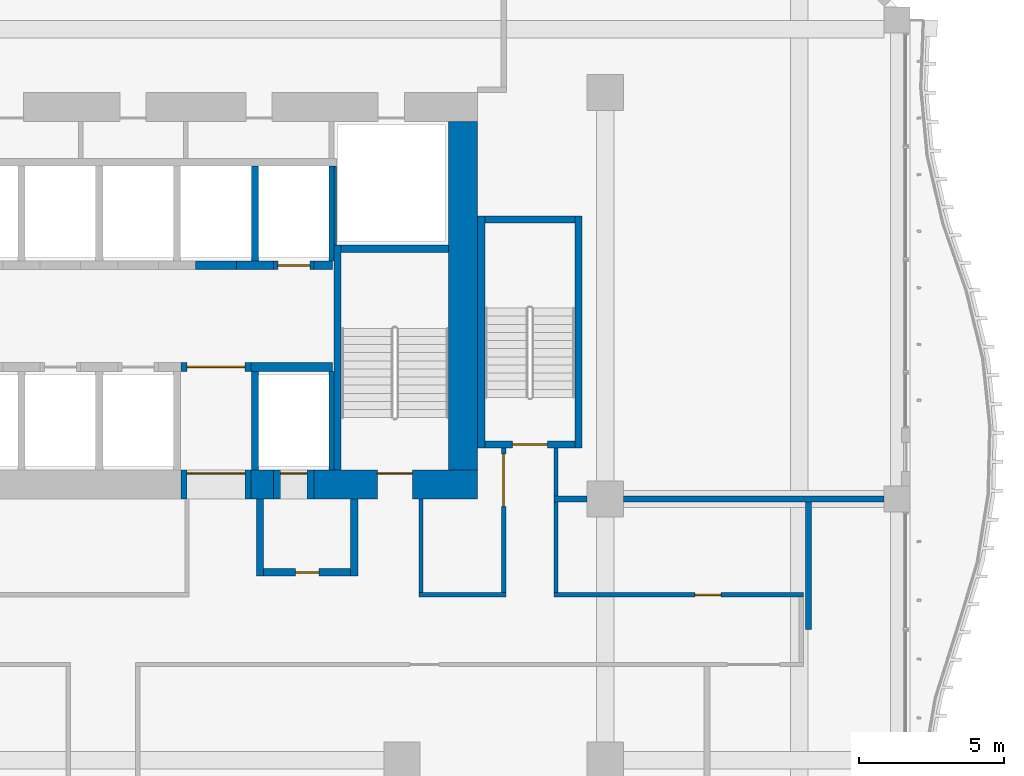
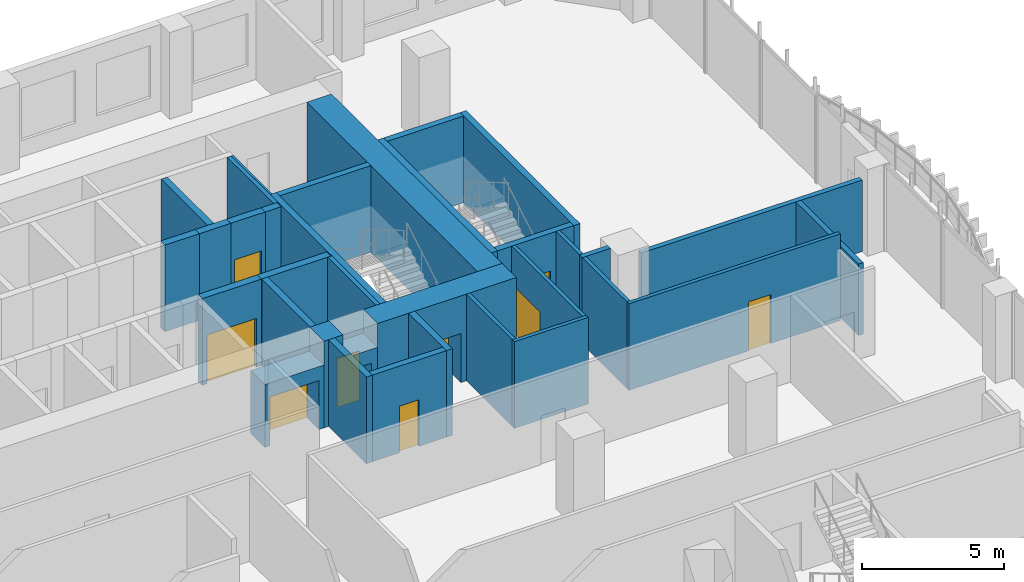
# One storey, part 15 of 27: 34 walls, 9 doors, 9 openings.
"""IFC4 building model written with IfcOpenShell, lengths in metres."""

from ifc_helpers import new_model, si_unit, direction, frame, frame_2d, origin, place, context, subcontext, project, spatial, rectangle, extrude, source, transform, mapped, material, layer, layer_set, type_object, element, fill, save


model = new_model("IFC4")

# Units and contexts
model_context = context("Model", 3, precision=1e-05, world=origin(), true_north=direction((0.0, 1.0)))
body_context = subcontext(model_context, "Body", "Model", "MODEL_VIEW")
ifc_project = project(units=[si_unit("LENGTHUNIT", "METRE"), si_unit("AREAUNIT", "SQUARE_METRE"), si_unit("VOLUMEUNIT", "CUBIC_METRE"), si_unit("PLANEANGLEUNIT", "RADIAN"), si_unit("MASSUNIT", "GRAM", prefix="KILO")], contexts=[model_context])

# Site, building, storey
site_placement = place(None, origin())
site = spatial("IfcSite", under=ifc_project, at=site_placement, CompositionType="ELEMENT")
building_placement = place(site_placement, origin())
building = spatial("IfcBuilding", under=site, at=building_placement, Name="Kilnfold Tower and Market Hall", CompositionType="ELEMENT")
storey_placement = place(building_placement, frame((0.0, 0.0, 71.199951171875)))
storey = spatial("IfcBuildingStorey", under=building, at=storey_placement, Name="L16", CompositionType="ELEMENT", Elevation=71.199951171875)

# Walls
ifc_material_1 = material(Name="Gypsum board on steel studs", Category="steel")
ifc_layer_1 = layer(ifc_material_1, 0.14990234375)
ifc_layer_set_1 = layer_set([ifc_layer_1], Name="Gypsum board on steel studs")
wall_type_1 = type_object("IfcWallType", Name="WALL CORRIDOR 150", PredefinedType="PARTITIONING", material=ifc_layer_set_1)
wall_1_placement = place(storey_placement, frame((16.14990234375, 4.77490234375, 0.0), z_axis=(0.0, 0.0, 1.0), x_axis=(0.0, 1.0, 0.0)))
element("IfcWall", 1, at=wall_1_placement, inside=storey, type_object=wall_type_1, Name="Partition LY12.21", PredefinedType="PARTITIONING", context=body_context, shape_type="SweptSolid", body=[
    extrude(rectangle(XDim=3.22509765625, YDim=0.14990234375, at=frame_2d((1.612548828125, 0.0))), origin(), (0.0, 0.0, 1.0), 3.719970703125),
])
wall_2_placement = place(storey_placement, frame((16.074951171875, 4.699951171875, 0.0), z_axis=(0.0, 0.0, 1.0), x_axis=(1.0, 0.0, 0.0)))
element("IfcWall", 2, at=wall_2_placement, inside=storey, type_object=wall_type_1, Name="Partition LY12.22", PredefinedType="PARTITIONING", context=body_context, shape_type="SweptSolid", body=[
    extrude(rectangle(XDim=3.0, YDim=0.14990234375, at=frame_2d((1.5, 0.0))), origin(), (0.0, 0.0, 1.0), 3.719970703125),
])

# Wall, opening, door
wall_3_placement = place(storey_placement, frame((19.0, 9.75, 0.0), z_axis=(0.0, 0.0, 1.0), x_axis=(0.0, -1.0, 0.0)))
wall_3 = element("IfcWall", 3, at=wall_3_placement, inside=storey, type_object=wall_type_1, Name="Partition LY12.23", PredefinedType="PARTITIONING", context=body_context, shape_type="SweptSolid", body=[
    extrude(rectangle(XDim=4.97509765625, YDim=0.14990234375, at=frame_2d((2.487548828125, 0.0))), origin(), (0.0, 0.0, 1.0), 3.719970703125),
])
opening_1_placement = place(wall_3_placement, frame((0.199951171875, 0.0, 0.0)))
opening_1 = element("IfcOpeningElement", 4, at=opening_1_placement, cuts=wall_3, Name="Opening D5", PredefinedType="OPENING", context=body_context, shape_type="SweptSolid", body=[
    extrude(rectangle(XDim=1.800048828125, YDim=2.10009765625, at=frame_2d((0.89990234375, 1.050048828125))), frame((0.0, 0.0849609375, 0.0), z_axis=(0.0, -1.0, 0.0), x_axis=(1.0, 0.0, 0.0)), (0.0, 0.0, 1.0), 0.169921875),
])
ifc_material_2 = material(Name="Timber veneer door leaf in steel frame", Category="steel")
door_type_1 = type_object("IfcDoorType", Name="DOOR DOUBLE 1800 X2100", OperationType="NOTDEFINED", PredefinedType="DOOR", material=ifc_material_2)
door_1_placement = place(opening_1_placement, origin())
door_1 = element("IfcDoor", 5, at=door_1_placement, inside=storey, type_object=door_type_1, Name="Door D5", OperationType="DOUBLE_DOOR_SINGLE_SWING", OverallHeight=2.10009765625, OverallWidth=1.800048828125, PredefinedType="DOOR", context=body_context, shape_type="SweptSolid", body=[
    extrude(rectangle(XDim=1.800048828125, YDim=2.10009765625, at=frame_2d((0.89990234375, 1.050048828125))), frame((0.0, 0.02490234375, 0.0), z_axis=(0.0, -1.0, 0.0), x_axis=(1.0, 0.0, 0.0)), (0.0, 0.0, 1.0), 0.050048828125),
])
fill(opening_1, door_1)

# Walls
wall_4_placement = place(storey_placement, frame((20.800048828125, 8.090087890625, 0.0), z_axis=(0.0, 0.0, 1.0), x_axis=(0.0, 1.0, 0.0)))
element("IfcWall", 6, at=wall_4_placement, inside=storey, type_object=wall_type_1, Name="Partition LY12.24", PredefinedType="PARTITIONING", context=body_context, shape_type="SweptSolid", body=[
    extrude(rectangle(XDim=1.659912109375, YDim=0.14990234375, at=frame_2d((0.830078125, 0.0))), origin(), (0.0, 0.0, 1.0), 3.719970703125),
])
wall_5_placement = place(storey_placement, frame((20.800048828125, 4.77490234375, 0.0), z_axis=(0.0, 0.0, 1.0), x_axis=(0.0, 1.0, 0.0)))
element("IfcWall", 7, at=wall_5_placement, inside=storey, type_object=wall_type_1, Name="Partition LY12.25", PredefinedType="PARTITIONING", context=body_context, shape_type="SweptSolid", body=[
    extrude(rectangle(XDim=3.135009765625, YDim=0.14990234375, at=frame_2d((1.5673828125, 0.0))), origin(), (0.0, 0.0, 1.0), 3.719970703125),
])

# Wall, opening, door
wall_6_placement = place(storey_placement, frame((20.72509765625, 4.699951171875, 0.0), z_axis=(0.0, 0.0, 1.0), x_axis=(1.0, 0.0, 0.0)))
wall_6 = element("IfcWall", 8, at=wall_6_placement, inside=storey, type_object=wall_type_1, Name="Partition LY12.26", PredefinedType="PARTITIONING", context=body_context, shape_type="SweptSolid", body=[
    extrude(rectangle(XDim=8.599853515625, YDim=0.14990234375, at=frame_2d((4.2998046875, 0.0))), origin(), (0.0, 0.0, 1.0), 3.719970703125),
])
opening_2_placement = place(wall_6_placement, frame((4.864013671875, 0.0, 0.0)))
opening_2 = element("IfcOpeningElement", 9, at=opening_2_placement, cuts=wall_6, Name="Opening D3", PredefinedType="OPENING", context=body_context, shape_type="SweptSolid", body=[
    extrude(rectangle(XDim=0.89990234375, YDim=2.10009765625, at=frame_2d((0.449951171875, 1.050048828125))), frame((0.0, 0.0849609375, 0.0), z_axis=(0.0, -1.0, 0.0), x_axis=(1.0, 0.0, 0.0)), (0.0, 0.0, 1.0), 0.169921875),
])
ifc_material_3 = material(Name="Timber veneer door leaf in steel frame", Category="steel")
door_type_2 = type_object("IfcDoorType", Name="DOOR WC 900 X2100", OperationType="NOTDEFINED", PredefinedType="DOOR", material=ifc_material_3)
door_2_placement = place(opening_2_placement, origin())
door_2 = element("IfcDoor", 10, at=door_2_placement, inside=storey, type_object=door_type_2, Name="Door D3", OperationType="SINGLE_SWING_LEFT", OverallHeight=2.10009765625, OverallWidth=0.89990234375, PredefinedType="DOOR", context=body_context, shape_type="SweptSolid", body=[
    extrude(rectangle(XDim=0.89990234375, YDim=2.10009765625, at=frame_2d((0.449951171875, 1.050048828125))), frame((0.0, 0.02490234375, 0.0), z_axis=(0.0, -1.0, 0.0), x_axis=(1.0, 0.0, 0.0)), (0.0, 0.0, 1.0), 0.050048828125),
])
fill(opening_2, door_2)

# Walls
ifc_material_4 = material(Name="Gypsum board on steel studs", Category="steel")
ifc_layer_2 = layer(ifc_material_4, 0.199951171875)
ifc_layer_set_2 = layer_set([ifc_layer_2], Name="Gypsum board on steel studs")
wall_type_2 = type_object("IfcWallType", Name="WALL PARTY 200", PredefinedType="PARTITIONING", material=ifc_layer_set_2)
wall_7_placement = place(storey_placement, frame((23.125, 8.0, 0.0), z_axis=(0.0, 0.0, 1.0), x_axis=(1.0, 0.0, 0.0)))
element("IfcWall", 11, at=wall_7_placement, inside=storey, type_object=wall_type_2, Name="Partition LY12.55", PredefinedType="PARTITIONING", context=body_context, shape_type="SweptSolid", body=[
    extrude(rectangle(XDim=8.97509765625, YDim=0.199951171875, at=frame_2d((4.487548828125, 0.0))), origin(), (0.0, 0.0, 1.0), 3.070068359375),
])
wall_8_placement = place(storey_placement, frame((20.72607421875, 8.0, 0.0), z_axis=(0.0, 0.0, 1.0), x_axis=(1.0, 0.0, 0.0)))
element("IfcWall", 12, at=wall_8_placement, inside=storey, type_object=wall_type_2, Name="Partition LY12.56", PredefinedType="PARTITIONING", context=body_context, shape_type="SweptSolid", body=[
    extrude(rectangle(XDim=1.14892578125, YDim=0.199951171875, at=frame_2d((0.574462890625, 0.0))), origin(), (0.0, 0.0, 1.0), 3.719970703125),
])
wall_9_placement = place(storey_placement, frame((29.5, 3.5, 0.0), z_axis=(0.0, 0.0, 1.0), x_axis=(0.0, 1.0, 0.0)))
element("IfcWall", 13, at=wall_9_placement, inside=storey, type_object=wall_type_2, Name="Partition LY12.57", PredefinedType="PARTITIONING", context=body_context, shape_type="SweptSolid", body=[
    extrude(rectangle(XDim=4.39990234375, YDim=0.199951171875, at=frame_2d((2.199951171875, 0.0))), origin(), (0.0, 0.0, 1.0), 3.070068359375),
])
ifc_material_5 = material(Name="Concrete C80", Category="concrete")
ifc_layer_3 = layer(ifc_material_5, 1.0)
ifc_layer_set_3 = layer_set([ifc_layer_3], Name="Concrete C80")
wall_type_3 = type_object("IfcWallType", Name="CORE WALL 1000 C80", PredefinedType="SHEAR", material=ifc_layer_set_3)
shared_shape_1 = source(origin(), body_context, "Body", "SweptSolid", [
    extrude(rectangle(XDim=0.780029296875, YDim=1.0, at=frame_2d((0.39013671875, 0.0))), origin(), (0.0, 0.0, 1.0), 3.719970703125),
])
wall_10_placement = place(storey_placement, frame((10.2900390625, 8.5, 0.0), z_axis=(0.0, 0.0, 1.0), x_axis=(1.0, 0.0, 0.0)))
element("IfcWall", 14, at=wall_10_placement, inside=storey, type_object=wall_type_3, Name="Core outer wall south", PredefinedType="SHEAR", context=body_context, shape_type="MappedRepresentation", body=[
    mapped(shared_shape_1, transform((0.0, 0.0, 0.0))),
])

# Wall, opening, door
shared_shape_2 = source(origin(), body_context, "Body", "SweptSolid", [
    extrude(rectangle(XDim=5.630126953125, YDim=1.0, at=frame_2d((2.81494140625, 0.0))), origin(), (0.0, 0.0, 1.0), 3.719970703125),
])
wall_11_placement = place(storey_placement, frame((12.469970703125, 8.5, 0.0), z_axis=(0.0, 0.0, 1.0), x_axis=(1.0, 0.0, 0.0)))
wall_11 = element("IfcWall", 15, at=wall_11_placement, inside=storey, type_object=wall_type_3, Name="Core outer wall south", PredefinedType="SHEAR", context=body_context, shape_type="MappedRepresentation", body=[
    mapped(shared_shape_2, transform((0.0, 0.0, 0.0))),
])
opening_3_placement = place(wall_11_placement, frame((2.179931640625, 0.0, 0.0)))
opening_3 = element("IfcOpeningElement", 16, at=opening_3_placement, cuts=wall_11, Name="Opening SD1", PredefinedType="OPENING", context=body_context, shape_type="SweptSolid", body=[
    extrude(rectangle(XDim=1.199951171875, YDim=2.10009765625, at=frame_2d((0.60009765625, 1.050048828125))), frame((0.0, 0.510009765625, 0.0), z_axis=(0.0, -1.0, 0.0), x_axis=(1.0, 0.0, 0.0)), (0.0, 0.0, 1.0), 1.02001953125),
])
ifc_material_6 = material(Name="Steel door set with fire-resisting leaf", Category="steel")
door_type_3 = type_object("IfcDoorType", Name="STAIR FLOOR DOOR 1200X2100", OperationType="NOTDEFINED", PredefinedType="DOOR", material=ifc_material_6)
door_3_placement = place(opening_3_placement, origin())
door_3 = element("IfcDoor", 17, at=door_3_placement, inside=storey, type_object=door_type_3, Name="Exit stair ST2 door", OperationType="DOUBLE_DOOR_SINGLE_SWING", OverallHeight=2.10009765625, OverallWidth=1.199951171875, PredefinedType="DOOR", context=body_context, shape_type="SweptSolid", body=[
    extrude(rectangle(XDim=1.199951171875, YDim=2.10009765625, at=frame_2d((0.60009765625, 1.050048828125))), frame((0.0, 0.40478515625, 0.0), z_axis=(0.0, -1.0, 0.0), x_axis=(1.0, 0.0, 0.0)), (0.0, 0.0, 1.0), 0.050048828125),
])
fill(opening_3, door_3)

# Walls
shared_shape_3 = source(origin(), body_context, "Body", "SweptSolid", [
    extrude(rectangle(XDim=12.0, YDim=1.0, at=frame_2d((6.0, 0.0))), origin(), (0.0, 0.0, 1.0), 3.719970703125),
])
wall_12_placement = place(storey_placement, frame((17.60009765625, 9.0, 0.0), z_axis=(0.0, 0.0, 1.0), x_axis=(0.0, 1.0, 0.0)))
element("IfcWall", 18, at=wall_12_placement, inside=storey, type_object=wall_type_3, Name="Core outer wall east", PredefinedType="SHEAR", context=body_context, shape_type="MappedRepresentation", body=[
    mapped(shared_shape_3, transform((0.0, 0.0, 0.0))),
])
ifc_material_7 = material(Name="Concrete C80", Category="concrete")
ifc_layer_4 = layer(ifc_material_7, 0.25)
ifc_layer_set_4 = layer_set([ifc_layer_4], Name="Concrete C80")
wall_type_4 = type_object("IfcWallType", Name="CORE WALL 250 C80", PredefinedType="SHEAR", material=ifc_layer_set_4)
shared_shape_4 = source(origin(), body_context, "Body", "SweptSolid", [
    extrude(rectangle(XDim=7.75, YDim=0.25, at=frame_2d((3.875, 0.0))), origin(), (0.0, 0.0, 1.0), 3.719970703125),
])
wall_13_placement = place(storey_placement, frame((13.27490234375, 9.0, 0.0), z_axis=(0.0, 0.0, 1.0), x_axis=(0.0, 1.0, 0.0)))
element("IfcWall", 19, at=wall_13_placement, inside=storey, type_object=wall_type_4, Name="Stair enclosure ST2", PredefinedType="SHEAR", context=body_context, shape_type="MappedRepresentation", body=[
    mapped(shared_shape_4, transform((0.0, 0.0, 0.0))),
])
shared_shape_5 = source(origin(), body_context, "Body", "SweptSolid", [
    extrude(rectangle(XDim=3.7001953125, YDim=0.25, at=frame_2d((1.85009765625, 0.0))), origin(), (0.0, 0.0, 1.0), 3.719970703125),
])
wall_14_placement = place(storey_placement, frame((13.39990234375, 16.625, 0.0), z_axis=(0.0, 0.0, 1.0), x_axis=(1.0, 0.0, 0.0)))
element("IfcWall", 20, at=wall_14_placement, inside=storey, type_object=wall_type_4, Name="Stair enclosure ST2", PredefinedType="SHEAR", context=body_context, shape_type="MappedRepresentation", body=[
    mapped(shared_shape_5, transform((0.0, 0.0, 0.0))),
])
shared_shape_6 = source(origin(), body_context, "Body", "SweptSolid", [
    extrude(rectangle(XDim=8.0, YDim=0.25, at=frame_2d((4.0, 0.0))), origin(), (0.0, 0.0, 1.0), 3.719970703125),
])
for number, where, z_axis, x_axis, name in (
    (21, (18.22509765625, 9.75, 0.0), (0.0, 0.0, 1.0), (0.0, 1.0, 0.0), "Stair enclosure ST5"),
    (22, (21.574951171875, 9.75, 0.0), (0.0, 0.0, 1.0), (0.0, 1.0, 0.0), "Stair enclosure ST5"),
):
    element("IfcWall", number, at=place(storey_placement, frame(where, z_axis=z_axis, x_axis=x_axis)), inside=storey, type_object=wall_type_4, Name=name, PredefinedType="SHEAR", context=body_context, shape_type="MappedRepresentation", body=[
        mapped(shared_shape_6, transform((0.0, 0.0, 0.0))),
    ])

# Wall, opening, door
shared_shape_7 = source(origin(), body_context, "Body", "SweptSolid", [
    extrude(rectangle(XDim=3.099853515625, YDim=0.25, at=frame_2d((1.5498046875, 0.0))), origin(), (0.0, 0.0, 1.0), 3.719970703125),
])
wall_15_placement = place(storey_placement, frame((18.35009765625, 9.875, 0.0), z_axis=(0.0, 0.0, 1.0), x_axis=(1.0, 0.0, 0.0)))
wall_15 = element("IfcWall", 23, at=wall_15_placement, inside=storey, type_object=wall_type_4, Name="Stair enclosure ST5", PredefinedType="SHEAR", context=body_context, shape_type="MappedRepresentation", body=[
    mapped(shared_shape_7, transform((0.0, 0.0, 0.0))),
])
opening_4_placement = place(wall_15_placement, frame((0.949951171875, 0.0, 0.0)))
opening_4 = element("IfcOpeningElement", 24, at=opening_4_placement, cuts=wall_15, Name="Opening SD1", PredefinedType="OPENING", context=body_context, shape_type="SweptSolid", body=[
    extrude(rectangle(XDim=1.199951171875, YDim=2.10009765625, at=frame_2d((0.60009765625, 1.050048828125))), frame((0.0, 0.135009765625, 0.0), z_axis=(0.0, -1.0, 0.0), x_axis=(1.0, 0.0, 0.0)), (0.0, 0.0, 1.0), 0.27001953125),
])
door_4_placement = place(opening_4_placement, origin())
door_4 = element("IfcDoor", 25, at=door_4_placement, inside=storey, type_object=door_type_3, Name="Exit stair ST5 door", OperationType="DOUBLE_DOOR_SINGLE_SWING", OverallHeight=2.10009765625, OverallWidth=1.199951171875, PredefinedType="DOOR", context=body_context, shape_type="SweptSolid", body=[
    extrude(rectangle(XDim=1.199951171875, YDim=2.10009765625, at=frame_2d((0.60009765625, 1.050048828125))), frame((0.0, 0.02490234375, 0.0), z_axis=(0.0, -1.0, 0.0), x_axis=(1.0, 0.0, 0.0)), (0.0, 0.0, 1.0), 0.050048828125),
])
fill(opening_4, door_4)

# Walls
wall_16_placement = place(storey_placement, frame((18.35009765625, 17.625, 0.0), z_axis=(0.0, 0.0, 1.0), x_axis=(1.0, 0.0, 0.0)))
element("IfcWall", 26, at=wall_16_placement, inside=storey, type_object=wall_type_4, Name="Stair enclosure ST5", PredefinedType="SHEAR", context=body_context, shape_type="MappedRepresentation", body=[
    mapped(shared_shape_7, transform((0.0, 0.0, 0.0))),
])
ifc_material_8 = material(Name="Concrete C80", Category="concrete")
ifc_layer_5 = layer(ifc_material_8, 0.300048828125)
ifc_layer_set_5 = layer_set([ifc_layer_5], Name="Concrete C80")
wall_type_5 = type_object("IfcWallType", Name="CORE WALL 300 C80", PredefinedType="SHEAR", material=ifc_layer_set_5)
shared_shape_8 = source(origin(), body_context, "Body", "SweptSolid", [
    extrude(rectangle(XDim=1.280029296875, YDim=0.300048828125, at=frame_2d((0.64013671875, 0.0))), origin(), (0.0, 0.0, 1.0), 3.719970703125),
])
wall_17_placement = place(storey_placement, frame((9.7900390625, 16.050048828125, 0.0), z_axis=(0.0, 0.0, 1.0), x_axis=(1.0, 0.0, 0.0)))
element("IfcWall", 27, at=wall_17_placement, inside=storey, type_object=wall_type_5, Name="Core spine wall", PredefinedType="SHEAR", context=body_context, shape_type="MappedRepresentation", body=[
    mapped(shared_shape_8, transform((0.0, 0.0, 0.0))),
])
shared_shape_9 = source(origin(), body_context, "Body", "SweptSolid", [
    extrude(rectangle(XDim=2.820068359375, YDim=0.300048828125, at=frame_2d((1.41015625, 0.0))), origin(), (0.0, 0.0, 1.0), 3.719970703125),
])
wall_18_placement = place(storey_placement, frame((10.2900390625, 12.550048828125, 0.0), z_axis=(0.0, 0.0, 1.0), x_axis=(1.0, 0.0, 0.0)))
element("IfcWall", 28, at=wall_18_placement, inside=storey, type_object=wall_type_5, Name="Core spine wall", PredefinedType="SHEAR", context=body_context, shape_type="MappedRepresentation", body=[
    mapped(shared_shape_9, transform((0.0, 0.0, 0.0))),
])
shared_shape_10 = source(origin(), body_context, "Body", "SweptSolid", [
    extrude(rectangle(XDim=0.64013671875, YDim=0.300048828125, at=frame_2d((0.320068359375, 0.0))), origin(), (0.0, 0.0, 1.0), 3.719970703125),
])
wall_19_placement = place(storey_placement, frame((12.469970703125, 16.050048828125, 0.0), z_axis=(0.0, 0.0, 1.0), x_axis=(1.0, 0.0, 0.0)))
element("IfcWall", 29, at=wall_19_placement, inside=storey, type_object=wall_type_5, Name="Core spine wall", PredefinedType="SHEAR", context=body_context, shape_type="MappedRepresentation", body=[
    mapped(shared_shape_10, transform((0.0, 0.0, 0.0))),
])

# Wall, opening, door
ifc_material_9 = material(Name="Gypsum shaft wall system")
ifc_layer_6 = layer(ifc_material_9, 1.0)
ifc_layer_set_6 = layer_set([ifc_layer_6], Name="Gypsum shaft wall system")
wall_type_6 = type_object("IfcWallType", Name="LOBBY WALL 1000", PredefinedType="PARTITIONING", material=ifc_layer_set_6)
shared_shape_11 = source(origin(), body_context, "Body", "SweptSolid", [
    extrude(rectangle(XDim=1.39990234375, YDim=1.0, at=frame_2d((0.699951171875, 0.0))), origin(), (0.0, 0.0, 1.0), 2.699951171875),
])
wall_20_placement = place(storey_placement, frame((11.070068359375, 8.5, 0.0), z_axis=(0.0, 0.0, 1.0), x_axis=(1.0, 0.0, 0.0)))
wall_20 = element("IfcWall", 30, at=wall_20_placement, inside=storey, type_object=wall_type_6, Name="Core wall infill", PredefinedType="PARTITIONING", context=body_context, shape_type="MappedRepresentation", body=[
    mapped(shared_shape_11, transform((0.0, 0.0, 0.0))),
])
opening_5_placement = place(wall_20_placement, frame((0.25, 0.0, 0.0)))
opening_5 = element("IfcOpeningElement", 31, at=opening_5_placement, cuts=wall_20, Name="Opening LD1", PredefinedType="OPENING", context=body_context, shape_type="SweptSolid", body=[
    extrude(rectangle(XDim=0.89990234375, YDim=2.10009765625, at=frame_2d((0.449951171875, 1.050048828125))), frame((0.0, 0.510009765625, 0.0), z_axis=(0.0, -1.0, 0.0), x_axis=(1.0, 0.0, 0.0)), (0.0, 0.0, 1.0), 1.02001953125),
])
ifc_material_10 = material(Name="Steel door set with fire-resisting leaf", Category="steel")
door_type_4 = type_object("IfcDoorType", Name="FIREFIGHTING LANDING DOOR 900X2100", OperationType="NOTDEFINED", PredefinedType="DOOR", material=ifc_material_10)
door_5_placement = place(opening_5_placement, origin())
door_5 = element("IfcDoor", 32, at=door_5_placement, inside=storey, type_object=door_type_4, Name="Landing door FF3", OperationType="SLIDING_TO_LEFT", OverallHeight=2.10009765625, OverallWidth=0.89990234375, PredefinedType="DOOR", context=body_context, shape_type="SweptSolid", body=[
    extrude(rectangle(XDim=0.89990234375, YDim=2.10009765625, at=frame_2d((0.449951171875, 1.050048828125))), frame((0.0, 0.40478515625, 0.0), z_axis=(0.0, -1.0, 0.0), x_axis=(1.0, 0.0, 0.0)), (0.0, 0.0, 1.0), 0.050048828125),
])
fill(opening_5, door_5)

shared_shape_12 = source(origin(), body_context, "Body", "SweptSolid", [
    extrude(rectangle(XDim=2.400146484375, YDim=1.0, at=frame_2d((1.2001953125, 0.0))), origin(), (0.0, 0.0, 1.0), 2.699951171875),
])
wall_21_placement = place(storey_placement, frame((7.889892578125, 8.5, 0.0), z_axis=(0.0, 0.0, 1.0), x_axis=(1.0, 0.0, 0.0)))
wall_21 = element("IfcWall", 33, at=wall_21_placement, inside=storey, type_object=wall_type_6, Name="Core wall infill", PredefinedType="PARTITIONING", context=body_context, shape_type="MappedRepresentation", body=[
    mapped(shared_shape_12, transform((0.0, 0.0, 0.0))),
])
opening_6_placement = place(wall_21_placement, frame((0.199951171875, 0.0, 0.0)))
opening_6 = element("IfcOpeningElement", 34, at=opening_6_placement, cuts=wall_21, Name="Opening VD2", PredefinedType="OPENING", context=body_context, shape_type="SweptSolid", body=[
    extrude(rectangle(XDim=2.0, YDim=2.10009765625, at=frame_2d((1.0, 1.050048828125))), frame((0.0, 0.510009765625, 0.0), z_axis=(0.0, -1.0, 0.0), x_axis=(1.0, 0.0, 0.0)), (0.0, 0.0, 1.0), 1.02001953125),
])
ifc_material_11 = material(Name="Steel door set with fire-resisting leaf", Category="steel")
door_type_5 = type_object("IfcDoorType", Name="LIFT LOBBY ENTRANCE DOOR 2000X2100", OperationType="NOTDEFINED", PredefinedType="DOOR", material=ifc_material_11)
door_6_placement = place(opening_6_placement, origin())
door_6 = element("IfcDoor", 35, at=door_6_placement, inside=storey, type_object=door_type_5, Name="Lift lobby entrance door", OperationType="DOUBLE_DOOR_SINGLE_SWING", OverallHeight=2.10009765625, OverallWidth=2.0, PredefinedType="DOOR", context=body_context, shape_type="SweptSolid", body=[
    extrude(rectangle(XDim=2.0, YDim=2.10009765625, at=frame_2d((1.0, 1.050048828125))), frame((0.0, 0.40478515625, 0.0), z_axis=(0.0, -1.0, 0.0), x_axis=(1.0, 0.0, 0.0)), (0.0, 0.0, 1.0), 0.050048828125),
])
fill(opening_6, door_6)

ifc_material_12 = material(Name="Gypsum shaft wall system")
ifc_layer_7 = layer(ifc_material_12, 0.300048828125)
ifc_layer_set_7 = layer_set([ifc_layer_7], Name="Gypsum shaft wall system")
wall_type_7 = type_object("IfcWallType", Name="SHAFT WALL 300", PredefinedType="PARTITIONING", material=ifc_layer_set_7)
shared_shape_13 = source(origin(), body_context, "Body", "SweptSolid", [
    extrude(rectangle(XDim=1.39990234375, YDim=0.300048828125, at=frame_2d((0.699951171875, 0.0))), origin(), (0.0, 0.0, 1.0), 3.719970703125),
])
wall_22_placement = place(storey_placement, frame((11.070068359375, 16.050048828125, 0.0), z_axis=(0.0, 0.0, 1.0), x_axis=(1.0, 0.0, 0.0)))
wall_22 = element("IfcWall", 36, at=wall_22_placement, inside=storey, type_object=wall_type_7, Name="Lift shaft front wall", PredefinedType="PARTITIONING", context=body_context, shape_type="MappedRepresentation", body=[
    mapped(shared_shape_13, transform((0.0, 0.0, 0.0))),
])
opening_7_placement = place(wall_22_placement, frame((0.14990234375, 0.0, 0.0)))
opening_7 = element("IfcOpeningElement", 37, at=opening_7_placement, cuts=wall_22, Name="Opening LD2", PredefinedType="OPENING", context=body_context, shape_type="SweptSolid", body=[
    extrude(rectangle(XDim=1.10009765625, YDim=2.10009765625, at=frame_2d((0.550048828125, 1.050048828125))), frame((0.0, 0.16015625, 0.0), z_axis=(0.0, -1.0, 0.0), x_axis=(1.0, 0.0, 0.0)), (0.0, 0.0, 1.0), 0.320068359375),
])
ifc_material_13 = material(Name="Steel door set with fire-resisting leaf", Category="steel")
door_type_6 = type_object("IfcDoorType", Name="LANDING DOOR 1100X2100", OperationType="NOTDEFINED", PredefinedType="DOOR", material=ifc_material_13)
door_7_placement = place(opening_7_placement, origin())
door_7 = element("IfcDoor", 38, at=door_7_placement, inside=storey, type_object=door_type_6, Name="Landing door LR6", OperationType="DOUBLE_DOOR_SLIDING", OverallHeight=2.10009765625, OverallWidth=1.10009765625, PredefinedType="DOOR", context=body_context, shape_type="SweptSolid", body=[
    extrude(rectangle(XDim=1.10009765625, YDim=2.10009765625, at=frame_2d((0.550048828125, 1.050048828125))), frame((0.0, 0.02490234375, 0.0), z_axis=(0.0, -1.0, 0.0), x_axis=(1.0, 0.0, 0.0)), (0.0, 0.0, 1.0), 0.050048828125),
])
fill(opening_7, door_7)

# Wall
shared_shape_14 = source(origin(), body_context, "Body", "SweptSolid", [
    extrude(rectangle(XDim=1.400146484375, YDim=0.300048828125, at=frame_2d((0.7001953125, 0.0))), origin(), (0.0, 0.0, 1.0), 3.719970703125),
])
wall_23_placement = place(storey_placement, frame((8.389892578125, 16.050048828125, 0.0), z_axis=(0.0, 0.0, 1.0), x_axis=(1.0, 0.0, 0.0)))
element("IfcWall", 39, at=wall_23_placement, inside=storey, type_object=wall_type_7, Name="Lift shaft front wall", PredefinedType="PARTITIONING", context=body_context, shape_type="MappedRepresentation", body=[
    mapped(shared_shape_14, transform((0.0, 0.0, 0.0))),
])

# Wall, opening, door
shared_shape_15 = source(origin(), body_context, "Body", "SweptSolid", [
    extrude(rectangle(XDim=2.400146484375, YDim=0.300048828125, at=frame_2d((1.2001953125, 0.0))), origin(), (0.0, 0.0, 1.0), 3.719970703125),
])
wall_24_placement = place(storey_placement, frame((7.889892578125, 12.550048828125, 0.0), z_axis=(0.0, 0.0, 1.0), x_axis=(1.0, 0.0, 0.0)))
wall_24 = element("IfcWall", 40, at=wall_24_placement, inside=storey, type_object=wall_type_7, Name="Lift shaft front wall", PredefinedType="PARTITIONING", context=body_context, shape_type="MappedRepresentation", body=[
    mapped(shared_shape_15, transform((0.0, 0.0, 0.0))),
])
opening_8_placement = place(wall_24_placement, frame((0.199951171875, 0.0, 0.0)))
opening_8 = element("IfcOpeningElement", 41, at=opening_8_placement, cuts=wall_24, Name="Opening VD2", PredefinedType="OPENING", context=body_context, shape_type="SweptSolid", body=[
    extrude(rectangle(XDim=2.0, YDim=2.10009765625, at=frame_2d((1.0, 1.050048828125))), frame((0.0, 0.16015625, 0.0), z_axis=(0.0, -1.0, 0.0), x_axis=(1.0, 0.0, 0.0)), (0.0, 0.0, 1.0), 0.320068359375),
])
door_8_placement = place(opening_8_placement, origin())
door_8 = element("IfcDoor", 42, at=door_8_placement, inside=storey, type_object=door_type_5, Name="Lift lobby entrance door", OperationType="DOUBLE_DOOR_SINGLE_SWING", OverallHeight=2.10009765625, OverallWidth=2.0, PredefinedType="DOOR", context=body_context, shape_type="SweptSolid", body=[
    extrude(rectangle(XDim=2.0, YDim=2.10009765625, at=frame_2d((1.0, 1.050048828125))), frame((0.0, 0.02490234375, 0.0), z_axis=(0.0, -1.0, 0.0), x_axis=(1.0, 0.0, 0.0)), (0.0, 0.0, 1.0), 0.050048828125),
])
fill(opening_8, door_8)

# Walls
ifc_material_14 = material(Name="Gypsum shaft wall system")
ifc_layer_8 = layer(ifc_material_14, 0.25)
ifc_layer_set_8 = layer_set([ifc_layer_8], Name="Gypsum shaft wall system")
wall_type_8 = type_object("IfcWallType", Name="LOBBY WALL 250", PredefinedType="PARTITIONING", material=ifc_layer_set_8)
shared_shape_16 = source(origin(), body_context, "Body", "SweptSolid", [
    extrude(rectangle(XDim=2.64990234375, YDim=0.25, at=frame_2d((1.324951171875, 0.0))), origin(), (0.0, 0.0, 1.0), 3.719970703125),
])
for number, where, z_axis, x_axis, name in (
    (43, (10.60498046875, 5.35009765625, 0.0), (0.0, 0.0, 1.0), (0.0, 1.0, 0.0), "Firefighting lobby wall"),
    (44, (13.85498046875, 5.35009765625, 0.0), (0.0, 0.0, 1.0), (0.0, 1.0, 0.0), "Firefighting lobby wall"),
):
    element("IfcWall", number, at=place(storey_placement, frame(where, z_axis=z_axis, x_axis=x_axis)), inside=storey, type_object=wall_type_8, Name=name, PredefinedType="PARTITIONING", context=body_context, shape_type="MappedRepresentation", body=[
        mapped(shared_shape_16, transform((0.0, 0.0, 0.0))),
    ])

# Wall, opening, door
shared_shape_17 = source(origin(), body_context, "Body", "SweptSolid", [
    extrude(rectangle(XDim=3.0, YDim=0.25, at=frame_2d((1.5, 0.0))), origin(), (0.0, 0.0, 1.0), 3.719970703125),
])
wall_25_placement = place(storey_placement, frame((10.72998046875, 5.47509765625, 0.0), z_axis=(0.0, 0.0, 1.0), x_axis=(1.0, 0.0, 0.0)))
wall_25 = element("IfcWall", 45, at=wall_25_placement, inside=storey, type_object=wall_type_8, Name="Firefighting lobby wall", PredefinedType="PARTITIONING", context=body_context, shape_type="MappedRepresentation", body=[
    mapped(shared_shape_17, transform((0.0, 0.0, 0.0))),
])
opening_9_placement = place(wall_25_placement, frame((1.10009765625, 0.0, 0.0)))
opening_9 = element("IfcOpeningElement", 46, at=opening_9_placement, cuts=wall_25, Name="Opening VD1", PredefinedType="OPENING", context=body_context, shape_type="SweptSolid", body=[
    extrude(rectangle(XDim=0.800048828125, YDim=2.0, at=frame_2d((0.39990234375, 1.0))), frame((0.0, 0.135009765625, 0.0), z_axis=(0.0, -1.0, 0.0), x_axis=(1.0, 0.0, 0.0)), (0.0, 0.0, 1.0), 0.27001953125),
])
ifc_material_15 = material(Name="Steel door set with fire-resisting leaf", Category="steel")
door_type_7 = type_object("IfcDoorType", Name="FIREFIGHTING LOBBY DOOR 800X2000", OperationType="NOTDEFINED", PredefinedType="DOOR", material=ifc_material_15)
door_9_placement = place(opening_9_placement, origin())
door_9 = element("IfcDoor", 47, at=door_9_placement, inside=storey, type_object=door_type_7, Name="Firefighting lobby door", OperationType="SINGLE_SWING_RIGHT", OverallHeight=2.0, OverallWidth=0.800048828125, PredefinedType="DOOR", context=body_context, shape_type="SweptSolid", body=[
    extrude(rectangle(XDim=0.800048828125, YDim=2.0, at=frame_2d((0.39990234375, 1.0))), frame((0.0, 0.02490234375, 0.0), z_axis=(0.0, -1.0, 0.0), x_axis=(1.0, 0.0, 0.0)), (0.0, 0.0, 1.0), 0.050048828125),
])
fill(opening_9, door_9)

# Walls
ifc_material_16 = material(Name="Gypsum shaft wall system")
ifc_layer_9 = layer(ifc_material_16, 0.1650390625)
ifc_layer_set_9 = layer_set([ifc_layer_9], Name="Gypsum shaft wall system")
wall_type_9 = type_object("IfcWallType", Name="SHAFT WALL 165", PredefinedType="PARTITIONING", material=ifc_layer_set_9)
shared_shape_18 = source(origin(), body_context, "Body", "SweptSolid", [
    extrude(rectangle(XDim=3.275146484375, YDim=0.1650390625, at=frame_2d((1.6376953125, 0.0))), origin(), (0.0, 0.0, 1.0), 3.719970703125),
])
wall_26_placement = place(storey_placement, frame((13.0673828125, 16.199951171875, 0.0), z_axis=(0.0, 0.0, 1.0), x_axis=(0.0, 1.0, 0.0)))
element("IfcWall", 48, at=wall_26_placement, inside=storey, type_object=wall_type_9, Name="Lift shaft wall", PredefinedType="PARTITIONING", context=body_context, shape_type="MappedRepresentation", body=[
    mapped(shared_shape_18, transform((0.0, 0.0, 0.0))),
])
ifc_material_17 = material(Name="Gypsum shaft wall system")
ifc_layer_10 = layer(ifc_material_17, 0.25)
ifc_layer_set_10 = layer_set([ifc_layer_10], Name="Gypsum shaft wall system")
wall_type_10 = type_object("IfcWallType", Name="SHAFT WALL 250", PredefinedType="PARTITIONING", material=ifc_layer_set_10)
shared_shape_19 = source(origin(), body_context, "Body", "SweptSolid", [
    extrude(rectangle(XDim=3.275146484375, YDim=0.25, at=frame_2d((1.6376953125, 0.0))), origin(), (0.0, 0.0, 1.0), 3.719970703125),
])
wall_27_placement = place(storey_placement, frame((10.429931640625, 16.199951171875, 0.0), z_axis=(0.0, 0.0, 1.0), x_axis=(0.0, 1.0, 0.0)))
element("IfcWall", 49, at=wall_27_placement, inside=storey, type_object=wall_type_10, Name="Lift shaft wall", PredefinedType="PARTITIONING", context=body_context, shape_type="MappedRepresentation", body=[
    mapped(shared_shape_19, transform((0.0, 0.0, 0.0))),
])
ifc_material_18 = material(Name="Gypsum shaft wall system")
ifc_layer_11 = layer(ifc_material_18, 0.0849609375)
ifc_layer_set_11 = layer_set([ifc_layer_11], Name="Gypsum shaft wall system")
wall_type_11 = type_object("IfcWallType", Name="SHAFT WALL 85", PredefinedType="PARTITIONING", material=ifc_layer_set_11)
shared_shape_20 = source(origin(), body_context, "Body", "SweptSolid", [
    extrude(rectangle(XDim=2.72509765625, YDim=0.0849609375, at=frame_2d((1.362548828125, 0.0))), origin(), (0.0, 0.0, 1.0), 3.719970703125),
])
wall_28_placement = place(storey_placement, frame((13.1923828125, 16.75, 0.0), z_axis=(0.0, 0.0, 1.0), x_axis=(0.0, 1.0, 0.0)))
element("IfcWall", 50, at=wall_28_placement, inside=storey, type_object=wall_type_11, Name="Lift shaft wall", PredefinedType="PARTITIONING", context=body_context, shape_type="MappedRepresentation", body=[
    mapped(shared_shape_20, transform((0.0, 0.0, 0.0))),
])
shared_shape_21 = source(origin(), body_context, "Body", "SweptSolid", [
    extrude(rectangle(XDim=3.39990234375, YDim=0.25, at=frame_2d((1.699951171875, 0.0))), origin(), (0.0, 0.0, 1.0), 3.719970703125),
])
wall_29_placement = place(storey_placement, frame((10.429931640625, 9.0, 0.0), z_axis=(0.0, 0.0, 1.0), x_axis=(0.0, 1.0, 0.0)))
element("IfcWall", 51, at=wall_29_placement, inside=storey, type_object=wall_type_10, Name="Lift shaft wall", PredefinedType="PARTITIONING", context=body_context, shape_type="MappedRepresentation", body=[
    mapped(shared_shape_21, transform((0.0, 0.0, 0.0))),
])
shared_shape_22 = source(origin(), body_context, "Body", "SweptSolid", [
    extrude(rectangle(XDim=3.39990234375, YDim=0.1650390625, at=frame_2d((1.699951171875, 0.0))), origin(), (0.0, 0.0, 1.0), 3.719970703125),
])
wall_30_placement = place(storey_placement, frame((13.0673828125, 9.0, 0.0), z_axis=(0.0, 0.0, 1.0), x_axis=(0.0, 1.0, 0.0)))
element("IfcWall", 52, at=wall_30_placement, inside=storey, type_object=wall_type_9, Name="Lift shaft wall", PredefinedType="PARTITIONING", context=body_context, shape_type="MappedRepresentation", body=[
    mapped(shared_shape_22, transform((0.0, 0.0, 0.0))),
])

save(model, "model.ifc")
